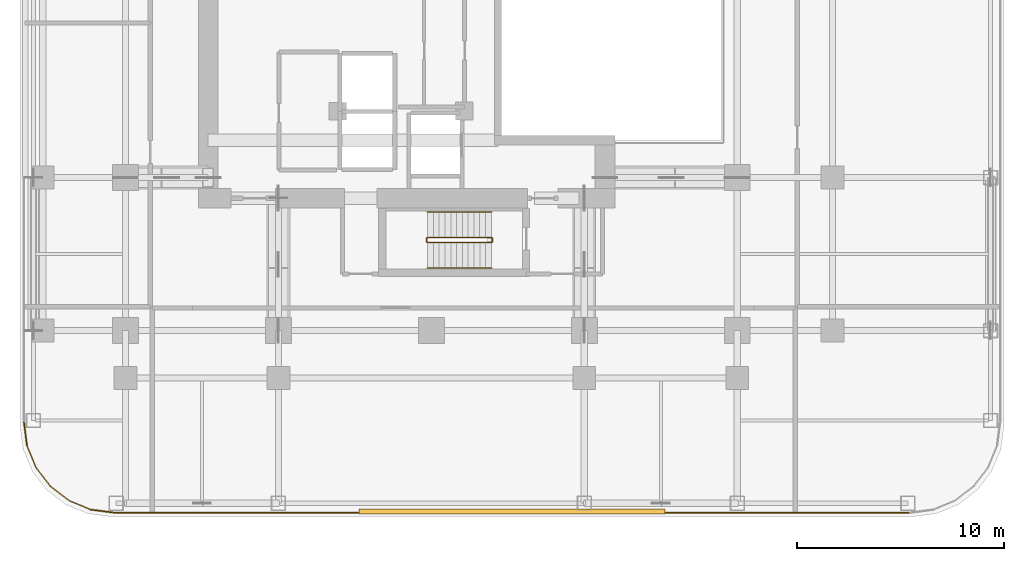
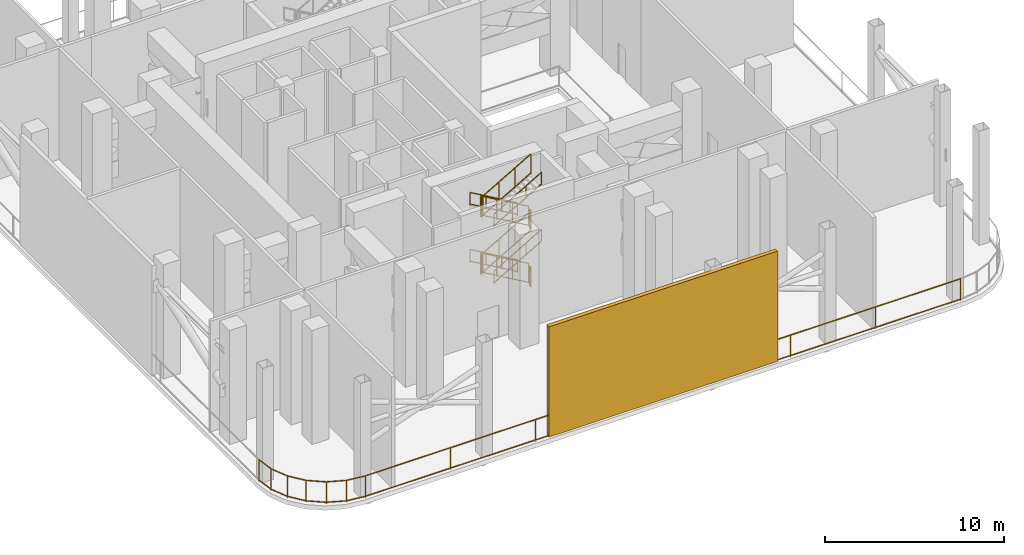
# One storey, part 8 of 10: 19 railings, 1 shading device.
"""IFC4 building model written with IfcOpenShell, lengths in metres."""

from ifc_helpers import new_model, si_unit, direction, frame, origin, origin_2d, place, context, subcontext, project, spatial, rectangle, extrude, material, layer, layer_set, type_object, element, save


model = new_model("IFC4")

# Units and contexts
model_context = context("Model", 3, precision=1e-05, world=origin(), true_north=direction((0.0, 1.0)))
body_context = subcontext(model_context, "Body", "Model", "MODEL_VIEW")
ifc_project = project(units=[si_unit("LENGTHUNIT", "METRE"), si_unit("AREAUNIT", "SQUARE_METRE"), si_unit("VOLUMEUNIT", "CUBIC_METRE"), si_unit("PLANEANGLEUNIT", "RADIAN"), si_unit("MASSUNIT", "GRAM", prefix="KILO")], contexts=[model_context])

# Site, building, storey
site_placement = place(None, origin())
site = spatial("IfcSite", under=ifc_project, at=site_placement, CompositionType="ELEMENT")
building_placement = place(site_placement, origin())
building = spatial("IfcBuilding", under=site, at=building_placement, Name="Khorvyn Point Tower", CompositionType="ELEMENT")
storey_placement = place(building_placement, frame((0.0, 0.0, 156.300048828125)))
storey = spatial("IfcBuildingStorey", under=building, at=storey_placement, Name="L39", CompositionType="ELEMENT", Elevation=156.300048828125)

# Shading device
ifc_material_1 = material(Name="Pale anodised aluminium 6063-T6", Category="aluminium")
ifc_layer = layer(ifc_material_1, 0.25)
ifc_layer_set = layer_set([ifc_layer], Name="Acoustic Hurricane-Louvre Plant Screen")
shading_device_type = type_object("IfcShadingDeviceType", Name="Acoustic Hurricane-Louvre Plant Screen", PredefinedType="JALOUSIE", material=ifc_layer_set)
shading_device_placement = place(storey_placement, frame((3.89990234375, -23.550048828125, 0.02001953125), z_axis=(0.0, 0.0, 1.0), x_axis=(1.0, 0.0, 0.0)))
element("IfcShadingDevice", 1, at=shading_device_placement, inside=storey, type_object=shading_device_type, Name="L39 Acoustic Hurricane Plant Louvre S", PredefinedType="JALOUSIE", context=body_context, shape_type="SweptSolid", body=[
    extrude(rectangle(XDim=14.800048828125, YDim=0.25, at=origin_2d()), origin(), (0.0, 0.0, 1.0), 7.5400390625),
])

# Railings
ifc_material_2 = material(Name="Stainless steel 1.4401", Category="steel")
railing_type_1 = type_object("IfcRailingType", Name="School Terrace Anti-Climb Safety Guardrail 1500", PredefinedType="GUARDRAIL", material=ifc_material_2)
railing_1_placement = place(storey_placement, frame((-19.709716796875, -19.244873046875, 0.0)))
element("IfcRailing", 2, at=railing_1_placement, inside=storey, type_object=railing_type_1, Name="L39 Open Wind-Floor Perimeter Guardrail 22", PredefinedType="GUARDRAIL", context=body_context, shape_type="SweptSolid", body=[
    extrude(rectangle(XDim=0.048095703125, YDim=0.048095703125, at=origin_2d()), frame((0.0, 0.0, 1.47607421875), z_axis=(0.130703929505, -0.991421445608, 0.0), x_axis=(0.991421445608, 0.130703929505, 0.0)), (0.0, 0.0, 1.0), 1.139404296875),
    extrude(rectangle(XDim=0.048095703125, YDim=0.048095703125, at=origin_2d()), frame((0.0, 0.0, 0.080078125), z_axis=(0.130703929505, -0.991421445608, 0.0), x_axis=(0.991421445608, 0.130703929505, 0.0)), (0.0, 0.0, 1.0), 1.139404296875),
    extrude(rectangle(XDim=0.0419921875, YDim=0.0419921875, at=origin_2d()), origin(), (0.0, 0.0, 1.0), 1.451904296875),
    extrude(rectangle(XDim=0.0419921875, YDim=0.0419921875, at=origin_2d()), frame((0.14892578125, -1.129638671875, 0.0)), (0.0, 0.0, 1.0), 1.451904296875),
])
railing_2_placement = place(storey_placement, frame((-19.560791015625, -20.37451171875, 0.0)))
element("IfcRailing", 3, at=railing_2_placement, inside=storey, type_object=railing_type_1, Name="L39 Open Wind-Floor Perimeter Guardrail 23", PredefinedType="GUARDRAIL", context=body_context, shape_type="SweptSolid", body=[
    extrude(rectangle(XDim=0.048095703125, YDim=0.048095703125, at=origin_2d()), frame((0.0, 0.0, 1.47607421875), z_axis=(0.382667177599, -0.923886265288, 0.0), x_axis=(0.923886265288, 0.382667177599, 0.0)), (0.0, 0.0, 1.0), 1.139404296875),
    extrude(rectangle(XDim=0.048095703125, YDim=0.048095703125, at=origin_2d()), frame((0.0, 0.0, 0.080078125), z_axis=(0.382667177599, -0.923886265288, 0.0), x_axis=(0.923886265288, 0.382667177599, 0.0)), (0.0, 0.0, 1.0), 1.139404296875),
    extrude(rectangle(XDim=0.0419921875, YDim=0.0419921875, at=origin_2d()), origin(), (0.0, 0.0, 1.0), 1.451904296875),
    extrude(rectangle(XDim=0.0419921875, YDim=0.0419921875, at=origin_2d()), frame((0.43603515625, -1.052734375, 0.0)), (0.0, 0.0, 1.0), 1.451904296875),
])
railing_3_placement = place(storey_placement, frame((-19.124755859375, -21.42724609375, 0.0)))
element("IfcRailing", 4, at=railing_3_placement, inside=storey, type_object=railing_type_1, Name="L39 Open Wind-Floor Perimeter Guardrail 24", PredefinedType="GUARDRAIL", context=body_context, shape_type="SweptSolid", body=[
    extrude(rectangle(XDim=0.048095703125, YDim=0.048095703125, at=origin_2d()), frame((0.0, 0.0, 1.47607421875), z_axis=(0.608705888985, -0.793395954562, 0.0), x_axis=(0.793395954562, 0.608705888985, 0.0)), (0.0, 0.0, 1.0), 1.139404296875),
    extrude(rectangle(XDim=0.048095703125, YDim=0.048095703125, at=origin_2d()), frame((0.0, 0.0, 0.080078125), z_axis=(0.608705888985, -0.793395954562, 0.0), x_axis=(0.793395954562, 0.608705888985, 0.0)), (0.0, 0.0, 1.0), 1.139404296875),
    extrude(rectangle(XDim=0.0419921875, YDim=0.0419921875, at=origin_2d()), origin(), (0.0, 0.0, 1.0), 1.451904296875),
    extrude(rectangle(XDim=0.0419921875, YDim=0.0419921875, at=origin_2d()), frame((0.693603515625, -0.904052734375, 0.0)), (0.0, 0.0, 1.0), 1.451904296875),
])
railing_4_placement = place(storey_placement, frame((-18.43115234375, -22.331298828125, 0.0)))
element("IfcRailing", 5, at=railing_4_placement, inside=storey, type_object=railing_type_1, Name="L39 Open Wind-Floor Perimeter Guardrail 25", PredefinedType="GUARDRAIL", context=body_context, shape_type="SweptSolid", body=[
    extrude(rectangle(XDim=0.048095703125, YDim=0.048095703125, at=origin_2d()), frame((0.0, 0.0, 1.47607421875), z_axis=(0.793395954562, -0.608705888985, 0.0), x_axis=(0.608705888985, 0.793395954562, 0.0)), (0.0, 0.0, 1.0), 1.139404296875),
    extrude(rectangle(XDim=0.048095703125, YDim=0.048095703125, at=origin_2d()), frame((0.0, 0.0, 0.080078125), z_axis=(0.793395954562, -0.608705888985, 0.0), x_axis=(0.608705888985, 0.793395954562, 0.0)), (0.0, 0.0, 1.0), 1.139404296875),
    extrude(rectangle(XDim=0.0419921875, YDim=0.0419921875, at=origin_2d()), origin(), (0.0, 0.0, 1.0), 1.451904296875),
    extrude(rectangle(XDim=0.0419921875, YDim=0.0419921875, at=origin_2d()), frame((0.904052734375, -0.693603515625, 0.0)), (0.0, 0.0, 1.0), 1.451904296875),
])
railing_5_placement = place(storey_placement, frame((-17.527099609375, -23.02490234375, 0.0)))
element("IfcRailing", 6, at=railing_5_placement, inside=storey, type_object=railing_type_1, Name="L39 Open Wind-Floor Perimeter Guardrail 26", PredefinedType="GUARDRAIL", context=body_context, shape_type="SweptSolid", body=[
    extrude(rectangle(XDim=0.048095703125, YDim=0.048095703125, at=origin_2d()), frame((0.0, 0.0, 1.47607421875), z_axis=(0.923854881082, -0.382742940759, 0.0), x_axis=(0.382742940759, 0.923854881082, 0.0)), (0.0, 0.0, 1.0), 1.13916015625),
    extrude(rectangle(XDim=0.048095703125, YDim=0.048095703125, at=origin_2d()), frame((0.0, 0.0, 0.080078125), z_axis=(0.923854881082, -0.382742940759, 0.0), x_axis=(0.382742940759, 0.923854881082, 0.0)), (0.0, 0.0, 1.0), 1.13916015625),
    extrude(rectangle(XDim=0.0419921875, YDim=0.0419921875, at=origin_2d()), origin(), (0.0, 0.0, 1.0), 1.451904296875),
    extrude(rectangle(XDim=0.0419921875, YDim=0.0419921875, at=origin_2d()), frame((1.052490234375, -0.43603515625, 0.0)), (0.0, 0.0, 1.0), 1.451904296875),
])
railing_6_placement = place(storey_placement, frame((-16.474609375, -23.4609375, 0.0)))
element("IfcRailing", 7, at=railing_6_placement, inside=storey, type_object=railing_type_1, Name="L39 Open Wind-Floor Perimeter Guardrail 27", PredefinedType="GUARDRAIL", context=body_context, shape_type="SweptSolid", body=[
    extrude(rectangle(XDim=0.048095703125, YDim=0.048095703125, at=origin_2d()), frame((0.0, 0.0, 1.47607421875), z_axis=(0.991452837147, -0.130465595899, 0.0), x_axis=(0.130465595899, 0.991452837147, 0.0)), (0.0, 0.0, 1.0), 1.1396484375),
    extrude(rectangle(XDim=0.048095703125, YDim=0.048095703125, at=origin_2d()), frame((0.0, 0.0, 0.080078125), z_axis=(0.991452837147, -0.130465595899, 0.0), x_axis=(0.130465595899, 0.991452837147, 0.0)), (0.0, 0.0, 1.0), 1.1396484375),
    extrude(rectangle(XDim=0.0419921875, YDim=0.0419921875, at=origin_2d()), origin(), (0.0, 0.0, 1.0), 1.451904296875),
    extrude(rectangle(XDim=0.0419921875, YDim=0.0419921875, at=origin_2d()), frame((1.1298828125, -0.148681640625, 0.0)), (0.0, 0.0, 1.0), 1.451904296875),
])
railing_7_placement = place(storey_placement, frame((-15.3447265625, -23.609619140625, 0.0)))
element("IfcRailing", 8, at=railing_7_placement, inside=storey, type_object=railing_type_1, Name="L39 Open Wind-Floor Perimeter Guardrail 28", PredefinedType="GUARDRAIL", context=body_context, shape_type="SweptSolid", body=[
    extrude(rectangle(XDim=0.048095703125, YDim=0.048095703125, at=origin_2d()), frame((0.0, 0.0, 1.47607421875), z_axis=(1.0, 0.0, 0.0), x_axis=(0.0, 1.0, 0.0)), (0.0, 0.0, 1.0), 38.489501953125),
    extrude(rectangle(XDim=0.048095703125, YDim=0.048095703125, at=origin_2d()), frame((0.0, 0.0, 0.080078125), z_axis=(1.0, 0.0, 0.0), x_axis=(0.0, 1.0, 0.0)), (0.0, 0.0, 1.0), 38.489501953125),
    extrude(rectangle(XDim=0.0419921875, YDim=0.0419921875, at=origin_2d()), origin(), (0.0, 0.0, 1.0), 1.451904296875),
    extrude(rectangle(XDim=0.0419921875, YDim=0.0419921875, at=origin_2d()), frame((5.49853515625, 0.0, 0.0)), (0.0, 0.0, 1.0), 1.451904296875),
    extrude(rectangle(XDim=0.0419921875, YDim=0.0419921875, at=origin_2d()), frame((10.9970703125, 0.0, 0.0)), (0.0, 0.0, 1.0), 1.451904296875),
    extrude(rectangle(XDim=0.0419921875, YDim=0.0419921875, at=origin_2d()), frame((16.49560546875, 0.0, 0.0)), (0.0, 0.0, 1.0), 1.451904296875),
    extrude(rectangle(XDim=0.0419921875, YDim=0.0419921875, at=origin_2d()), frame((21.993896484375, 0.0, 0.0)), (0.0, 0.0, 1.0), 1.451904296875),
    extrude(rectangle(XDim=0.0419921875, YDim=0.0419921875, at=origin_2d()), frame((27.492431640625, 0.0, 0.0)), (0.0, 0.0, 1.0), 1.451904296875),
    extrude(rectangle(XDim=0.0419921875, YDim=0.0419921875, at=origin_2d()), frame((32.990966796875, 0.0, 0.0)), (0.0, 0.0, 1.0), 1.451904296875),
    extrude(rectangle(XDim=0.0419921875, YDim=0.0419921875, at=origin_2d()), frame((38.489501953125, 0.0, 0.0)), (0.0, 0.0, 1.0), 1.451904296875),
])
ifc_material_3 = material(Name="Stainless steel 1.4301", Category="steel")
railing_type_2 = type_object("IfcRailingType", Name="Stainless Steel 304 Stair Pitch Handrail 900", PredefinedType="HANDRAIL", material=ifc_material_3)
railing_8_placement = place(storey_placement, frame((2.89990234375, -9.070068359375, 0.162353515625)))
element("IfcRailing", 9, at=railing_8_placement, inside=storey, type_object=railing_type_2, Name="L39 ST-01 stair handrail 1", PredefinedType="HANDRAIL", context=body_context, shape_type="SweptSolid", body=[
    extrude(rectangle(XDim=0.048095703125, YDim=0.048095703125, at=origin_2d()), frame((0.0, 0.0, 0.8759765625), z_axis=(-0.864873446163, 0.0, 0.501989962173), x_axis=(0.0, -1.0, 0.0)), (0.0, 0.0, 1.0), 3.56103515625),
    extrude(rectangle(XDim=0.048095703125, YDim=0.048095703125, at=origin_2d()), frame((0.0, 0.0, 0.080078125), z_axis=(-0.864873446163, 0.0, 0.501989962173), x_axis=(0.0, -1.0, 0.0)), (0.0, 0.0, 1.0), 3.56103515625),
    extrude(rectangle(XDim=0.0419921875, YDim=0.0419921875, at=origin_2d()), origin(), (0.0, 0.0, 1.0), 0.851806640625),
    extrude(rectangle(XDim=0.0419921875, YDim=0.0419921875, at=origin_2d()), frame((-1.026611328125, 0.0, 0.595947265625)), (0.0, 0.0, 1.0), 0.851806640625),
    extrude(rectangle(XDim=0.0419921875, YDim=0.0419921875, at=origin_2d()), frame((-2.05322265625, 0.0, 1.191650390625)), (0.0, 0.0, 1.0), 0.851806640625),
    extrude(rectangle(XDim=0.0419921875, YDim=0.0419921875, at=origin_2d()), frame((-3.079833984375, 0.0, 1.78759765625)), (0.0, 0.0, 1.0), 0.851806640625),
])
railing_9_placement = place(storey_placement, frame((-0.179931640625, -11.77001953125, 2.112548828125)))
element("IfcRailing", 10, at=railing_9_placement, inside=storey, type_object=railing_type_2, Name="L39 ST-01 stair handrail 2", PredefinedType="HANDRAIL", context=body_context, shape_type="SweptSolid", body=[
    extrude(rectangle(XDim=0.048095703125, YDim=0.048095703125, at=origin_2d()), frame((0.0, 0.0, 0.8759765625), z_axis=(0.864903211148, 0.0, 0.501938676878), x_axis=(0.0, 1.0, 0.0)), (0.0, 0.0, 1.0), 3.560791015625),
    extrude(rectangle(XDim=0.048095703125, YDim=0.048095703125, at=origin_2d()), frame((0.0, 0.0, 0.080078125), z_axis=(0.864903211148, 0.0, 0.501938676878), x_axis=(0.0, 1.0, 0.0)), (0.0, 0.0, 1.0), 3.560791015625),
    extrude(rectangle(XDim=0.0419921875, YDim=0.0419921875, at=origin_2d()), origin(), (0.0, 0.0, 1.0), 0.851806640625),
    extrude(rectangle(XDim=0.0419921875, YDim=0.0419921875, at=origin_2d()), frame((1.026611328125, 0.0, 0.595703125)), (0.0, 0.0, 1.0), 0.851806640625),
    extrude(rectangle(XDim=0.0419921875, YDim=0.0419921875, at=origin_2d()), frame((2.05322265625, 0.0, 1.191650390625)), (0.0, 0.0, 1.0), 0.851806640625),
    extrude(rectangle(XDim=0.0419921875, YDim=0.0419921875, at=origin_2d()), frame((3.079833984375, 0.0, 1.787353515625)), (0.0, 0.0, 1.0), 0.851806640625),
])
railing_10_placement = place(storey_placement, frame((2.89990234375, -9.070068359375, 4.0625)))
element("IfcRailing", 11, at=railing_10_placement, inside=storey, type_object=railing_type_2, Name="L39 ST-01 stair handrail 3", PredefinedType="HANDRAIL", context=body_context, shape_type="SweptSolid", body=[
    extrude(rectangle(XDim=0.048095703125, YDim=0.048095703125, at=origin_2d()), frame((0.0, 0.0, 0.8759765625), z_axis=(-0.864903211148, 0.0, 0.501938676878), x_axis=(0.0, -1.0, 0.0)), (0.0, 0.0, 1.0), 3.560791015625),
    extrude(rectangle(XDim=0.048095703125, YDim=0.048095703125, at=origin_2d()), frame((0.0, 0.0, 0.080078125), z_axis=(-0.864903211148, 0.0, 0.501938676878), x_axis=(0.0, -1.0, 0.0)), (0.0, 0.0, 1.0), 3.560791015625),
    extrude(rectangle(XDim=0.0419921875, YDim=0.0419921875, at=origin_2d()), origin(), (0.0, 0.0, 1.0), 0.851806640625),
    extrude(rectangle(XDim=0.0419921875, YDim=0.0419921875, at=origin_2d()), frame((-1.026611328125, 0.0, 0.595703125)), (0.0, 0.0, 1.0), 0.851806640625),
    extrude(rectangle(XDim=0.0419921875, YDim=0.0419921875, at=origin_2d()), frame((-2.05322265625, 0.0, 1.191650390625)), (0.0, 0.0, 1.0), 0.851806640625),
    extrude(rectangle(XDim=0.0419921875, YDim=0.0419921875, at=origin_2d()), frame((-3.079833984375, 0.0, 1.787353515625)), (0.0, 0.0, 1.0), 0.851806640625),
])
railing_11_placement = place(storey_placement, frame((-0.179931640625, -11.77001953125, 6.012451171875)))
element("IfcRailing", 12, at=railing_11_placement, inside=storey, type_object=railing_type_2, Name="L39 ST-01 stair handrail 4", PredefinedType="HANDRAIL", context=body_context, shape_type="SweptSolid", body=[
    extrude(rectangle(XDim=0.048095703125, YDim=0.048095703125, at=origin_2d()), frame((0.0, 0.0, 0.8759765625), z_axis=(0.864873446163, 0.0, 0.501989962173), x_axis=(0.0, 1.0, 0.0)), (0.0, 0.0, 1.0), 3.56103515625),
    extrude(rectangle(XDim=0.048095703125, YDim=0.048095703125, at=origin_2d()), frame((0.0, 0.0, 0.080078125), z_axis=(0.864873446163, 0.0, 0.501989962173), x_axis=(0.0, 1.0, 0.0)), (0.0, 0.0, 1.0), 3.56103515625),
    extrude(rectangle(XDim=0.0419921875, YDim=0.0419921875, at=origin_2d()), origin(), (0.0, 0.0, 1.0), 0.851806640625),
    extrude(rectangle(XDim=0.0419921875, YDim=0.0419921875, at=origin_2d()), frame((1.026611328125, 0.0, 0.595947265625)), (0.0, 0.0, 1.0), 0.851806640625),
    extrude(rectangle(XDim=0.0419921875, YDim=0.0419921875, at=origin_2d()), frame((2.05322265625, 0.0, 1.191650390625)), (0.0, 0.0, 1.0), 0.851806640625),
    extrude(rectangle(XDim=0.0419921875, YDim=0.0419921875, at=origin_2d()), frame((3.079833984375, 0.0, 1.78759765625)), (0.0, 0.0, 1.0), 0.851806640625),
])
railing_type_3 = type_object("IfcRailingType", Name="Stainless Steel 304 Stair Well Guardrail 1400", PredefinedType="GUARDRAIL", material=ifc_material_3)
railing_12_placement = place(storey_placement, frame((2.89990234375, -10.2900390625, 0.162353515625)))
element("IfcRailing", 13, at=railing_12_placement, inside=storey, type_object=railing_type_3, Name="L39 ST-01 stair guard 1", PredefinedType="GUARDRAIL", context=body_context, shape_type="SweptSolid", body=[
    extrude(rectangle(XDim=0.048095703125, YDim=0.048095703125, at=origin_2d()), frame((0.0, 0.0, 1.3759765625), z_axis=(-0.864873446163, 0.0, 0.501989962173), x_axis=(0.0, -1.0, 0.0)), (0.0, 0.0, 1.0), 3.56103515625),
    extrude(rectangle(XDim=0.048095703125, YDim=0.048095703125, at=origin_2d()), frame((0.0, 0.0, 0.080078125), z_axis=(-0.864873446163, 0.0, 0.501989962173), x_axis=(0.0, -1.0, 0.0)), (0.0, 0.0, 1.0), 3.56103515625),
    extrude(rectangle(XDim=0.0419921875, YDim=0.0419921875, at=origin_2d()), origin(), (0.0, 0.0, 1.0), 1.351806640625),
    extrude(rectangle(XDim=0.0419921875, YDim=0.0419921875, at=origin_2d()), frame((-1.026611328125, 0.0, 0.595947265625)), (0.0, 0.0, 1.0), 1.351806640625),
    extrude(rectangle(XDim=0.0419921875, YDim=0.0419921875, at=origin_2d()), frame((-2.05322265625, 0.0, 1.191650390625)), (0.0, 0.0, 1.0), 1.351806640625),
    extrude(rectangle(XDim=0.0419921875, YDim=0.0419921875, at=origin_2d()), frame((-3.079833984375, 0.0, 1.78759765625)), (0.0, 0.0, 1.0), 1.351806640625),
])
railing_13_placement = place(storey_placement, frame((-0.22998046875, -10.340087890625, 1.949951171875)))
element("IfcRailing", 14, at=railing_13_placement, inside=storey, type_object=railing_type_3, Name="L39 ST-01 stair guard 2", PredefinedType="GUARDRAIL", context=body_context, shape_type="SweptSolid", body=[
    extrude(rectangle(XDim=0.048095703125, YDim=0.048095703125, at=origin_2d()), frame((0.0, 0.0, 1.3759765625), z_axis=(0.0, -1.0, 0.0), x_axis=(1.0, 0.0, 0.0)), (0.0, 0.0, 1.0), 0.159912109375),
    extrude(rectangle(XDim=0.048095703125, YDim=0.048095703125, at=origin_2d()), frame((0.0, 0.0, 0.080078125), z_axis=(0.0, -1.0, 0.0), x_axis=(1.0, 0.0, 0.0)), (0.0, 0.0, 1.0), 0.159912109375),
    extrude(rectangle(XDim=0.0419921875, YDim=0.0419921875, at=origin_2d()), origin(), (0.0, 0.0, 1.0), 1.351806640625),
    extrude(rectangle(XDim=0.0419921875, YDim=0.0419921875, at=origin_2d()), frame((0.0, -0.159912109375, 0.0)), (0.0, 0.0, 1.0), 1.351806640625),
])
railing_14_placement = place(storey_placement, frame((-0.179931640625, -10.550048828125, 2.112548828125)))
element("IfcRailing", 15, at=railing_14_placement, inside=storey, type_object=railing_type_3, Name="L39 ST-01 stair guard 3", PredefinedType="GUARDRAIL", context=body_context, shape_type="SweptSolid", body=[
    extrude(rectangle(XDim=0.048095703125, YDim=0.048095703125, at=origin_2d()), frame((0.0, 0.0, 1.3759765625), z_axis=(0.864903211148, 0.0, 0.501938676878), x_axis=(0.0, 1.0, 0.0)), (0.0, 0.0, 1.0), 3.560791015625),
    extrude(rectangle(XDim=0.048095703125, YDim=0.048095703125, at=origin_2d()), frame((0.0, 0.0, 0.080078125), z_axis=(0.864903211148, 0.0, 0.501938676878), x_axis=(0.0, 1.0, 0.0)), (0.0, 0.0, 1.0), 3.560791015625),
    extrude(rectangle(XDim=0.0419921875, YDim=0.0419921875, at=origin_2d()), origin(), (0.0, 0.0, 1.0), 1.351806640625),
    extrude(rectangle(XDim=0.0419921875, YDim=0.0419921875, at=origin_2d()), frame((1.026611328125, 0.0, 0.595703125)), (0.0, 0.0, 1.0), 1.351806640625),
    extrude(rectangle(XDim=0.0419921875, YDim=0.0419921875, at=origin_2d()), frame((2.05322265625, 0.0, 1.191650390625)), (0.0, 0.0, 1.0), 1.351806640625),
    extrude(rectangle(XDim=0.0419921875, YDim=0.0419921875, at=origin_2d()), frame((3.079833984375, 0.0, 1.787353515625)), (0.0, 0.0, 1.0), 1.351806640625),
])
railing_15_placement = place(storey_placement, frame((2.949951171875, -10.340087890625, 3.89990234375)))
element("IfcRailing", 16, at=railing_15_placement, inside=storey, type_object=railing_type_3, Name="L39 ST-01 stair guard 4", PredefinedType="GUARDRAIL", context=body_context, shape_type="SweptSolid", body=[
    extrude(rectangle(XDim=0.048095703125, YDim=0.048095703125, at=origin_2d()), frame((0.0, 0.0, 1.3759765625), z_axis=(0.0, -1.0, 0.0), x_axis=(1.0, 0.0, 0.0)), (0.0, 0.0, 1.0), 0.159912109375),
    extrude(rectangle(XDim=0.048095703125, YDim=0.048095703125, at=origin_2d()), frame((0.0, 0.0, 0.080078125), z_axis=(0.0, -1.0, 0.0), x_axis=(1.0, 0.0, 0.0)), (0.0, 0.0, 1.0), 0.159912109375),
    extrude(rectangle(XDim=0.0419921875, YDim=0.0419921875, at=origin_2d()), origin(), (0.0, 0.0, 1.0), 1.351806640625),
    extrude(rectangle(XDim=0.0419921875, YDim=0.0419921875, at=origin_2d()), frame((0.0, -0.159912109375, 0.0)), (0.0, 0.0, 1.0), 1.351806640625),
])
railing_16_placement = place(storey_placement, frame((2.89990234375, -10.2900390625, 4.0625)))
element("IfcRailing", 17, at=railing_16_placement, inside=storey, type_object=railing_type_3, Name="L39 ST-01 stair guard 5", PredefinedType="GUARDRAIL", context=body_context, shape_type="SweptSolid", body=[
    extrude(rectangle(XDim=0.048095703125, YDim=0.048095703125, at=origin_2d()), frame((0.0, 0.0, 1.3759765625), z_axis=(-0.864903211148, 0.0, 0.501938676878), x_axis=(0.0, -1.0, 0.0)), (0.0, 0.0, 1.0), 3.560791015625),
    extrude(rectangle(XDim=0.048095703125, YDim=0.048095703125, at=origin_2d()), frame((0.0, 0.0, 0.080078125), z_axis=(-0.864903211148, 0.0, 0.501938676878), x_axis=(0.0, -1.0, 0.0)), (0.0, 0.0, 1.0), 3.560791015625),
    extrude(rectangle(XDim=0.0419921875, YDim=0.0419921875, at=origin_2d()), origin(), (0.0, 0.0, 1.0), 1.351806640625),
    extrude(rectangle(XDim=0.0419921875, YDim=0.0419921875, at=origin_2d()), frame((-1.026611328125, 0.0, 0.595703125)), (0.0, 0.0, 1.0), 1.351806640625),
    extrude(rectangle(XDim=0.0419921875, YDim=0.0419921875, at=origin_2d()), frame((-2.05322265625, 0.0, 1.191650390625)), (0.0, 0.0, 1.0), 1.351806640625),
    extrude(rectangle(XDim=0.0419921875, YDim=0.0419921875, at=origin_2d()), frame((-3.079833984375, 0.0, 1.787353515625)), (0.0, 0.0, 1.0), 1.351806640625),
])
railing_17_placement = place(storey_placement, frame((-0.22998046875, -10.340087890625, 5.849853515625)))
element("IfcRailing", 18, at=railing_17_placement, inside=storey, type_object=railing_type_3, Name="L39 ST-01 stair guard 6", PredefinedType="GUARDRAIL", context=body_context, shape_type="SweptSolid", body=[
    extrude(rectangle(XDim=0.048095703125, YDim=0.048095703125, at=origin_2d()), frame((0.0, 0.0, 1.3759765625), z_axis=(0.0, -1.0, 0.0), x_axis=(1.0, 0.0, 0.0)), (0.0, 0.0, 1.0), 0.159912109375),
    extrude(rectangle(XDim=0.048095703125, YDim=0.048095703125, at=origin_2d()), frame((0.0, 0.0, 0.080078125), z_axis=(0.0, -1.0, 0.0), x_axis=(1.0, 0.0, 0.0)), (0.0, 0.0, 1.0), 0.159912109375),
    extrude(rectangle(XDim=0.0419921875, YDim=0.0419921875, at=origin_2d()), origin(), (0.0, 0.0, 1.0), 1.351806640625),
    extrude(rectangle(XDim=0.0419921875, YDim=0.0419921875, at=origin_2d()), frame((0.0, -0.159912109375, 0.0)), (0.0, 0.0, 1.0), 1.351806640625),
])
railing_18_placement = place(storey_placement, frame((-0.179931640625, -10.550048828125, 6.012451171875)))
element("IfcRailing", 19, at=railing_18_placement, inside=storey, type_object=railing_type_3, Name="L39 ST-01 stair guard 7", PredefinedType="GUARDRAIL", context=body_context, shape_type="SweptSolid", body=[
    extrude(rectangle(XDim=0.048095703125, YDim=0.048095703125, at=origin_2d()), frame((0.0, 0.0, 1.3759765625), z_axis=(0.864873446163, 0.0, 0.501989962173), x_axis=(0.0, 1.0, 0.0)), (0.0, 0.0, 1.0), 3.56103515625),
    extrude(rectangle(XDim=0.048095703125, YDim=0.048095703125, at=origin_2d()), frame((0.0, 0.0, 0.080078125), z_axis=(0.864873446163, 0.0, 0.501989962173), x_axis=(0.0, 1.0, 0.0)), (0.0, 0.0, 1.0), 3.56103515625),
    extrude(rectangle(XDim=0.0419921875, YDim=0.0419921875, at=origin_2d()), origin(), (0.0, 0.0, 1.0), 1.351806640625),
    extrude(rectangle(XDim=0.0419921875, YDim=0.0419921875, at=origin_2d()), frame((1.026611328125, 0.0, 0.595947265625)), (0.0, 0.0, 1.0), 1.351806640625),
    extrude(rectangle(XDim=0.0419921875, YDim=0.0419921875, at=origin_2d()), frame((2.05322265625, 0.0, 1.191650390625)), (0.0, 0.0, 1.0), 1.351806640625),
    extrude(rectangle(XDim=0.0419921875, YDim=0.0419921875, at=origin_2d()), frame((3.079833984375, 0.0, 1.78759765625)), (0.0, 0.0, 1.0), 1.351806640625),
])
railing_19_placement = place(storey_placement, frame((2.949951171875, -10.340087890625, 0.0)))
element("IfcRailing", 20, at=railing_19_placement, inside=storey, type_object=railing_type_3, Name="L39 ST-01 stair guard 8", PredefinedType="GUARDRAIL", context=body_context, shape_type="SweptSolid", body=[
    extrude(rectangle(XDim=0.048095703125, YDim=0.048095703125, at=origin_2d()), frame((0.0, 0.0, 1.3759765625), z_axis=(0.0, -1.0, 0.0), x_axis=(1.0, 0.0, 0.0)), (0.0, 0.0, 1.0), 0.159912109375),
    extrude(rectangle(XDim=0.048095703125, YDim=0.048095703125, at=origin_2d()), frame((0.0, 0.0, 0.080078125), z_axis=(0.0, -1.0, 0.0), x_axis=(1.0, 0.0, 0.0)), (0.0, 0.0, 1.0), 0.159912109375),
    extrude(rectangle(XDim=0.0419921875, YDim=0.0419921875, at=origin_2d()), origin(), (0.0, 0.0, 1.0), 1.351806640625),
    extrude(rectangle(XDim=0.0419921875, YDim=0.0419921875, at=origin_2d()), frame((0.0, -0.159912109375, 0.0)), (0.0, 0.0, 1.0), 1.351806640625),
])

save(model, "model.ifc")
